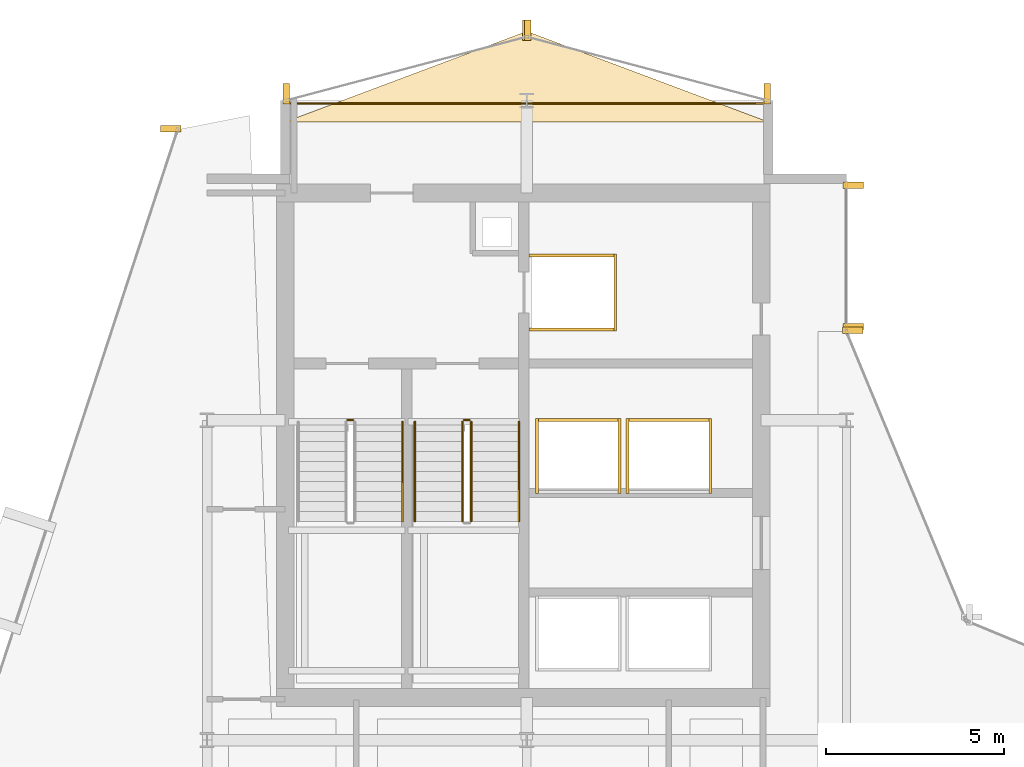
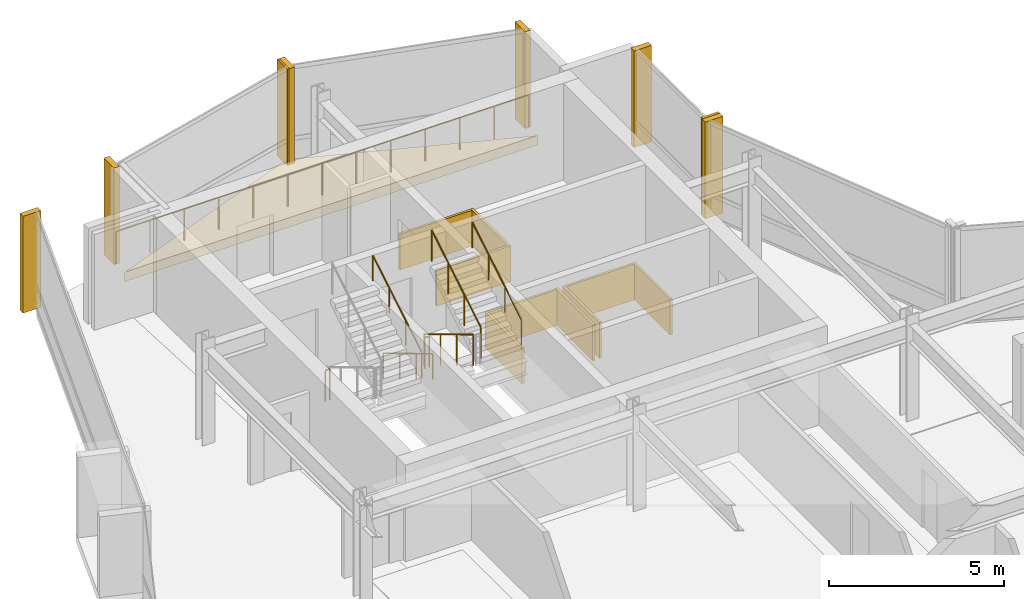
# One storey, part 27 of 27: 18 coverings, 8 railings.
"""IFC4 building model written with IfcOpenShell, lengths in metres."""

from ifc_helpers import new_model, si_unit, direction, frame, origin, origin_2d, place, context, subcontext, project, spatial, polyline, rectangle, circle, outline, extrude, material, layer, layer_set, type_object, element, save


model = new_model("IFC4")

# Units and contexts
model_context = context("Model", 3, precision=1e-05, world=origin(), true_north=direction((0.0, 1.0)))
body_context = subcontext(model_context, "Body", "Model", "MODEL_VIEW")
ifc_project = project(units=[si_unit("LENGTHUNIT", "METRE"), si_unit("AREAUNIT", "SQUARE_METRE"), si_unit("VOLUMEUNIT", "CUBIC_METRE"), si_unit("PLANEANGLEUNIT", "RADIAN"), si_unit("MASSUNIT", "GRAM", prefix="KILO")], contexts=[model_context])

# Site, building, storey
site_placement = place(None, origin())
site = spatial("IfcSite", under=ifc_project, at=site_placement, CompositionType="ELEMENT")
building_placement = place(site_placement, origin())
building = spatial("IfcBuilding", under=site, at=building_placement, Name="Solvaryn Broadcast Tower", CompositionType="ELEMENT")
storey_placement = place(building_placement, frame((0.0, 0.0, 192.699951171875)))
storey = spatial("IfcBuildingStorey", under=building, at=storey_placement, Name="L48", CompositionType="ELEMENT", Elevation=192.699951171875)

# Coverings
ifc_material_1 = material(Name="Fire-Rated Gypsum Shaftwall Liner", Category="concrete")
ifc_layer_1 = layer(ifc_material_1, 0.080078125)
ifc_layer_set_1 = layer_set([ifc_layer_1], Name="CV-SHAFT-LINER")
covering_type_1 = type_object("IfcCoveringType", Name="CV-SHAFT-LINER", PredefinedType="CLADDING", material=ifc_layer_set_1)
for number, where, z_axis, x_axis, name in (
    (1, (19.300048828125, 40.639892578125, 0.0), (0.0, 0.0, 1.0), (1.0, 0.0, 0.0), "L48 FL1 Hoistway Shaft Liner North"),
    (2, (19.300048828125, 38.56005859375, 0.0), (0.0, 0.0, 1.0), (1.0, 0.0, 0.0), "L48 FL1 Hoistway Shaft Liner South"),
):
    element("IfcCovering", number, at=place(storey_placement, frame(where, z_axis=z_axis, x_axis=x_axis)), inside=storey, type_object=covering_type_1, Name=name, PredefinedType="CLADDING", context=body_context, shape_type="SweptSolid", body=[
        extrude(rectangle(XDim=2.4599609375, YDim=0.080078125, at=origin_2d()), origin(), (0.0, 0.0, 1.0), 1.25),
    ])
covering_1_placement = place(storey_placement, frame((20.489990234375, 39.60009765625, 0.0), z_axis=(0.0, 0.0, 1.0), x_axis=(1.0, 0.0, 0.0)))
element("IfcCovering", 3, at=covering_1_placement, inside=storey, type_object=covering_type_1, Name="L48 FL1 Hoistway Shaft Liner East", PredefinedType="CLADDING", context=body_context, shape_type="SweptSolid", body=[
    extrude(rectangle(XDim=0.080078125, YDim=2.159912109375, at=origin_2d()), origin(), (0.0, 0.0, 1.0), 1.25),
])
covering_2_placement = place(storey_placement, frame((19.449951171875, 36.014892578125, 0.0), z_axis=(0.0, 0.0, 1.0), x_axis=(1.0, 0.0, 0.0)))
element("IfcCovering", 4, at=covering_2_placement, inside=storey, type_object=covering_type_1, Name="L48 PH3 Hoistway Shaft Liner North", PredefinedType="CLADDING", context=body_context, shape_type="SweptSolid", body=[
    extrude(rectangle(XDim=2.409912109375, YDim=0.080078125, at=origin_2d()), origin(), (0.0, 0.0, 1.0), 1.25),
])
for number, where, z_axis, x_axis, name in (
    (5, (20.614990234375, 35.0, 0.0), (0.0, 0.0, 1.0), (1.0, 0.0, 0.0), "L48 PH3 Hoistway Shaft Liner East"),
    (6, (18.284912109375, 35.0, 0.0), (0.0, 0.0, 1.0), (1.0, 0.0, 0.0), "L48 PH3 Hoistway Shaft Liner West"),
):
    element("IfcCovering", number, at=place(storey_placement, frame(where, z_axis=z_axis, x_axis=x_axis)), inside=storey, type_object=covering_type_1, Name=name, PredefinedType="CLADDING", context=body_context, shape_type="SweptSolid", body=[
        extrude(rectangle(XDim=0.080078125, YDim=2.110107421875, at=origin_2d()), origin(), (0.0, 0.0, 1.0), 1.25),
    ])
covering_3_placement = place(storey_placement, frame((22.0, 36.014892578125, 0.0), z_axis=(0.0, 0.0, 1.0), x_axis=(1.0, 0.0, 0.0)))
element("IfcCovering", 7, at=covering_3_placement, inside=storey, type_object=covering_type_1, Name="L48 PH4 Hoistway Shaft Liner North", PredefinedType="CLADDING", context=body_context, shape_type="SweptSolid", body=[
    extrude(rectangle(XDim=2.409912109375, YDim=0.080078125, at=origin_2d()), origin(), (0.0, 0.0, 1.0), 1.25),
])
for number, where, z_axis, x_axis, name in (
    (8, (23.1650390625, 35.0, 0.0), (0.0, 0.0, 1.0), (1.0, 0.0, 0.0), "L48 PH4 Hoistway Shaft Liner East"),
    (9, (20.8349609375, 35.0, 0.0), (0.0, 0.0, 1.0), (1.0, 0.0, 0.0), "L48 PH4 Hoistway Shaft Liner West"),
):
    element("IfcCovering", number, at=place(storey_placement, frame(where, z_axis=z_axis, x_axis=x_axis)), inside=storey, type_object=covering_type_1, Name=name, PredefinedType="CLADDING", context=body_context, shape_type="SweptSolid", body=[
        extrude(rectangle(XDim=0.080078125, YDim=2.110107421875, at=origin_2d()), origin(), (0.0, 0.0, 1.0), 1.25),
    ])
ifc_material_2 = material(Name="Extruded Architectural Terracotta Fin", Category="masonry")
ifc_layer_2 = layer(ifc_material_2, 0.179931640625)
ifc_layer_set_2 = layer_set([ifc_layer_2], Name="CV-TC-FIN")
covering_type_2 = type_object("IfcCoveringType", Name="CV-TC-FIN", PredefinedType="USERDEFINED", material=ifc_layer_set_2)
for number, where, z_axis, x_axis, name in (
    (10, (7.982666015625, 44.209716796875, 0.0), (0.0, 0.0, 1.0), (1.0, 0.0, 0.0), "L48 Terracotta Vertical Fin FIN-L48-DR1-M00"),
    (11, (27.1875, 42.6201171875, 0.0), (0.0, 0.0, 1.0), (1.0, 0.0, 0.0), "L48 Terracotta Vertical Fin FIN-L48-IV-M00"),
    (12, (27.1875, 38.6298828125, 0.0), (0.0, 0.0, 1.0), (1.0, 0.0, 0.0), "L48 Terracotta Vertical Fin FIN-L48-IV-M01"),
    (13, (27.177978515625, 38.541259765625, 0.0), (0.0, 0.0, 1.0), (1.0, 0.0, 0.0), "L48 Terracotta Vertical Fin FIN-L48-CN2-M01"),
):
    element("IfcCovering", number, at=place(storey_placement, frame(where, z_axis=z_axis, x_axis=x_axis)), inside=storey, type_object=covering_type_2, Name=name, ObjectType="FIN", PredefinedType="USERDEFINED", context=body_context, shape_type="SweptSolid", body=[
        extrude(rectangle(XDim=0.580078125, YDim=0.179931640625, at=origin_2d()), origin(), (0.0, 0.0, 1.0), 3.3701171875),
    ])
for number, where, z_axis, x_axis, name in (
    (14, (24.77099609375, 45.1953125, 0.0), (0.0, 0.0, 1.0), (1.0, 0.0, 0.0), "L48 Terracotta Vertical Fin FIN-L48-NT1-M00"),
    (15, (18.029052734375, 46.979736328125, 0.0), (0.0, 0.0, 1.0), (1.0, 0.0, 0.0), "L48 Terracotta Vertical Fin FIN-L48-NT1-M01"),
    (16, (17.970947265625, 46.979736328125, 0.0), (0.0, 0.0, 1.0), (1.0, 0.0, 0.0), "L48 Terracotta Vertical Fin FIN-L48-NT2-M00"),
    (17, (11.22900390625, 45.1953125, 0.0), (0.0, 0.0, 1.0), (1.0, 0.0, 0.0), "L48 Terracotta Vertical Fin FIN-L48-NT2-M01"),
):
    element("IfcCovering", number, at=place(storey_placement, frame(where, z_axis=z_axis, x_axis=x_axis)), inside=storey, type_object=covering_type_2, Name=name, ObjectType="FIN", PredefinedType="USERDEFINED", context=body_context, shape_type="SweptSolid", body=[
        extrude(rectangle(XDim=0.179931640625, YDim=0.580078125, at=origin_2d()), origin(), (0.0, 0.0, 1.0), 3.3701171875),
    ])
ifc_material_3 = material(Name="Sculpted Architectural Terracotta Wave Fascia", Category="masonry")
ifc_layer_3 = layer(ifc_material_3, 0.340087890625)
ifc_layer_set_3 = layer_set([ifc_layer_3], Name="CV-WAVE-TRAY")
covering_type_3 = type_object("IfcCoveringType", Name="CV-WAVE-TRAY", PredefinedType="CLADDING", material=ifc_layer_set_3)
covering_4_placement = place(storey_placement, frame((0.0, 0.0, -0.300048828125)))
element("IfcCovering", 18, at=covering_4_placement, inside=storey, type_object=covering_type_3, Name="L48 North Curved Wing Deck", PredefinedType="CLADDING", context=body_context, shape_type="SweptSolid", body=[
    extrude(outline(polyline([(11.199951171875, 44.39990234375), (24.800048828125, 44.39990234375), (18.0, 46.949951171875), (11.199951171875, 44.39990234375)])), origin(), (0.0, 0.0, 1.0), 0.330078125),
])

# Railings
ifc_material_4 = material(Name="Painted Steel Stair Well Guard", Category="steel")
railing_type_1 = type_object("IfcRailingType", Name="RL-STAIR-GUARD", PredefinedType="BALUSTRADE", material=ifc_material_4)
railing_1_placement = place(storey_placement, frame((12.9599609375, 36.010009765625, 0.0)))
element("IfcRailing", 19, at=railing_1_placement, inside=storey, type_object=railing_type_1, Name="L48 ST1 stair guard 4", PredefinedType="BALUSTRADE", context=body_context, shape_type="SweptSolid", body=[
    extrude(circle(Radius=0.02392578125, at=origin_2d()), frame((0.0, 0.0, 1.076171875), z_axis=(1.0, 0.0, 0.0), x_axis=(0.0, 1.0, 0.0)), (0.0, 0.0, 1.0), 0.150146484375),
    extrude(circle(Radius=0.02099609375, at=origin_2d()), origin(), (0.0, 0.0, 1.0), 1.052001953125),
    extrude(circle(Radius=0.02099609375, at=origin_2d()), frame((0.150146484375, 0.0, 0.0)), (0.0, 0.0, 1.0), 1.052001953125),
])
railing_2_placement = place(storey_placement, frame((16.18994140625, 35.9599609375, 0.168212890625)))
element("IfcRailing", 20, at=railing_2_placement, inside=storey, type_object=railing_type_1, Name="L48 ST2 stair guard 1", PredefinedType="BALUSTRADE", context=body_context, shape_type="SweptSolid", body=[
    extrude(circle(Radius=0.02392578125, at=origin_2d()), frame((0.0, 0.0, 1.076171875), z_axis=(0.0, -0.857242210791, 0.514913383045), x_axis=(1.0, 0.0, 0.0)), (0.0, 0.0, 1.0), 3.266357421875),
    extrude(circle(Radius=0.02099609375, at=origin_2d()), origin(), (0.0, 0.0, 1.0), 1.052001953125),
    extrude(circle(Radius=0.02099609375, at=origin_2d()), frame((0.0, -0.933349609375, 0.560546875)), (0.0, 0.0, 1.0), 1.052001953125),
    extrude(circle(Radius=0.02099609375, at=origin_2d()), frame((0.0, -1.86669921875, 1.121337890625)), (0.0, 0.0, 1.0), 1.052001953125),
    extrude(circle(Radius=0.02099609375, at=origin_2d()), frame((0.0, -2.800048828125, 1.681884765625)), (0.0, 0.0, 1.0), 1.052001953125),
])
railing_3_placement = place(storey_placement, frame((16.43994140625, 33.159912109375, 2.018310546875)))
element("IfcRailing", 21, at=railing_3_placement, inside=storey, type_object=railing_type_1, Name="L48 ST2 stair guard 3", PredefinedType="BALUSTRADE", context=body_context, shape_type="SweptSolid", body=[
    extrude(circle(Radius=0.02392578125, at=origin_2d()), frame((0.0, 0.0, 1.076171875), z_axis=(0.0, 0.857275202839, 0.514858452973), x_axis=(-1.0, 0.0, 0.0)), (0.0, 0.0, 1.0), 3.26611328125),
    extrude(circle(Radius=0.02099609375, at=origin_2d()), origin(), (0.0, 0.0, 1.0), 1.052001953125),
    extrude(circle(Radius=0.02099609375, at=origin_2d()), frame((0.0, 0.933349609375, 0.560546875)), (0.0, 0.0, 1.0), 1.052001953125),
    extrude(circle(Radius=0.02099609375, at=origin_2d()), frame((0.0, 1.86669921875, 1.12109375)), (0.0, 0.0, 1.0), 1.052001953125),
    extrude(circle(Radius=0.02099609375, at=origin_2d()), frame((0.0, 2.800048828125, 1.681640625)), (0.0, 0.0, 1.0), 1.052001953125),
])
railing_4_placement = place(storey_placement, frame((16.239990234375, 36.010009765625, 0.0)))
element("IfcRailing", 22, at=railing_4_placement, inside=storey, type_object=railing_type_1, Name="L48 ST2 stair guard 4", PredefinedType="BALUSTRADE", context=body_context, shape_type="SweptSolid", body=[
    extrude(circle(Radius=0.02392578125, at=origin_2d()), frame((0.0, 0.0, 1.076171875), z_axis=(1.0, 0.0, 0.0), x_axis=(0.0, 1.0, 0.0)), (0.0, 0.0, 1.0), 0.14990234375),
    extrude(circle(Radius=0.02099609375, at=origin_2d()), origin(), (0.0, 0.0, 1.0), 1.052001953125),
    extrude(circle(Radius=0.02099609375, at=origin_2d()), frame((0.14990234375, 0.0, 0.0)), (0.0, 0.0, 1.0), 1.052001953125),
])
ifc_material_5 = material(Name="Brushed Stainless Steel Tubular Handrail", Category="steel")
railing_type_2 = type_object("IfcRailingType", Name="RL-STAIR-HANDRAIL", PredefinedType="HANDRAIL", material=ifc_material_5)
railing_5_placement = place(storey_placement, frame((14.5, 33.159912109375, 2.018310546875)))
element("IfcRailing", 23, at=railing_5_placement, inside=storey, type_object=railing_type_2, Name="L48 ST1 stair handrail 2", PredefinedType="HANDRAIL", context=body_context, shape_type="SweptSolid", body=[
    extrude(circle(Radius=0.02392578125, at=origin_2d()), frame((0.0, 0.0, 0.8759765625), z_axis=(0.0, 0.857275202839, 0.514858452973), x_axis=(-1.0, 0.0, 0.0)), (0.0, 0.0, 1.0), 3.26611328125),
    extrude(circle(Radius=0.02099609375, at=origin_2d()), origin(), (0.0, 0.0, 1.0), 0.851806640625),
    extrude(circle(Radius=0.02099609375, at=origin_2d()), frame((0.0, 0.933349609375, 0.560546875)), (0.0, 0.0, 1.0), 0.851806640625),
    extrude(circle(Radius=0.02099609375, at=origin_2d()), frame((0.0, 1.86669921875, 1.12109375)), (0.0, 0.0, 1.0), 0.851806640625),
    extrude(circle(Radius=0.02099609375, at=origin_2d()), frame((0.0, 2.800048828125, 1.681640625)), (0.0, 0.0, 1.0), 0.851806640625),
])
railing_6_placement = place(storey_placement, frame((14.85009765625, 35.9599609375, 0.168212890625)))
element("IfcRailing", 24, at=railing_6_placement, inside=storey, type_object=railing_type_2, Name="L48 ST2 stair handrail 1", PredefinedType="HANDRAIL", context=body_context, shape_type="SweptSolid", body=[
    extrude(circle(Radius=0.02392578125, at=origin_2d()), frame((0.0, 0.0, 0.8759765625), z_axis=(0.0, -0.857242210791, 0.514913383045), x_axis=(1.0, 0.0, 0.0)), (0.0, 0.0, 1.0), 3.266357421875),
    extrude(circle(Radius=0.02099609375, at=origin_2d()), origin(), (0.0, 0.0, 1.0), 0.851806640625),
    extrude(circle(Radius=0.02099609375, at=origin_2d()), frame((0.0, -0.933349609375, 0.560546875)), (0.0, 0.0, 1.0), 0.851806640625),
    extrude(circle(Radius=0.02099609375, at=origin_2d()), frame((0.0, -1.86669921875, 1.121337890625)), (0.0, 0.0, 1.0), 0.851806640625),
    extrude(circle(Radius=0.02099609375, at=origin_2d()), frame((0.0, -2.800048828125, 1.681884765625)), (0.0, 0.0, 1.0), 0.851806640625),
])
railing_7_placement = place(storey_placement, frame((17.780029296875, 33.159912109375, 2.018310546875)))
element("IfcRailing", 25, at=railing_7_placement, inside=storey, type_object=railing_type_2, Name="L48 ST2 stair handrail 2", PredefinedType="HANDRAIL", context=body_context, shape_type="SweptSolid", body=[
    extrude(circle(Radius=0.02392578125, at=origin_2d()), frame((0.0, 0.0, 0.8759765625), z_axis=(0.0, 0.857275202839, 0.514858452973), x_axis=(-1.0, 0.0, 0.0)), (0.0, 0.0, 1.0), 3.26611328125),
    extrude(circle(Radius=0.02099609375, at=origin_2d()), origin(), (0.0, 0.0, 1.0), 0.851806640625),
    extrude(circle(Radius=0.02099609375, at=origin_2d()), frame((0.0, 0.933349609375, 0.560546875)), (0.0, 0.0, 1.0), 0.851806640625),
    extrude(circle(Radius=0.02099609375, at=origin_2d()), frame((0.0, 1.86669921875, 1.12109375)), (0.0, 0.0, 1.0), 0.851806640625),
    extrude(circle(Radius=0.02099609375, at=origin_2d()), frame((0.0, 2.800048828125, 1.681640625)), (0.0, 0.0, 1.0), 0.851806640625),
])
ifc_material_6 = material(Name="Stainless Steel and Laminated Glass Guard", Category="steel")
railing_type_3 = type_object("IfcRailingType", Name="RL-TER-1150", PredefinedType="BALUSTRADE", material=ifc_material_6)
railing_8_placement = place(storey_placement, frame((11.199951171875, 44.919921875, 0.0)))
element("IfcRailing", 26, at=railing_8_placement, inside=storey, type_object=railing_type_3, Name="L48 North Wing Spandrel Edge Guard", PredefinedType="BALUSTRADE", context=body_context, shape_type="SweptSolid", body=[
    extrude(circle(Radius=0.02392578125, at=origin_2d()), frame((0.0, 0.0, 1.1259765625), z_axis=(1.0, 0.0, 0.0), x_axis=(0.0, 1.0, 0.0)), (0.0, 0.0, 1.0), 13.60009765625),
    extrude(circle(Radius=0.02099609375, at=origin_2d()), origin(), (0.0, 0.0, 1.0), 1.101806640625),
    extrude(circle(Radius=0.02099609375, at=origin_2d()), frame((1.13330078125, 0.0, 0.0)), (0.0, 0.0, 1.0), 1.101806640625),
    extrude(circle(Radius=0.02099609375, at=origin_2d()), frame((2.2666015625, 0.0, 0.0)), (0.0, 0.0, 1.0), 1.101806640625),
    extrude(circle(Radius=0.02099609375, at=origin_2d()), frame((3.39990234375, 0.0, 0.0)), (0.0, 0.0, 1.0), 1.101806640625),
    extrude(circle(Radius=0.02099609375, at=origin_2d()), frame((4.533447265625, 0.0, 0.0)), (0.0, 0.0, 1.0), 1.101806640625),
    extrude(circle(Radius=0.02099609375, at=origin_2d()), frame((5.666748046875, 0.0, 0.0)), (0.0, 0.0, 1.0), 1.101806640625),
    extrude(circle(Radius=0.02099609375, at=origin_2d()), frame((6.800048828125, 0.0, 0.0)), (0.0, 0.0, 1.0), 1.101806640625),
    extrude(circle(Radius=0.02099609375, at=origin_2d()), frame((7.933349609375, 0.0, 0.0)), (0.0, 0.0, 1.0), 1.101806640625),
    extrude(circle(Radius=0.02099609375, at=origin_2d()), frame((9.066650390625, 0.0, 0.0)), (0.0, 0.0, 1.0), 1.101806640625),
    extrude(circle(Radius=0.02099609375, at=origin_2d()), frame((10.2001953125, 0.0, 0.0)), (0.0, 0.0, 1.0), 1.101806640625),
    extrude(circle(Radius=0.02099609375, at=origin_2d()), frame((11.33349609375, 0.0, 0.0)), (0.0, 0.0, 1.0), 1.101806640625),
    extrude(circle(Radius=0.02099609375, at=origin_2d()), frame((12.466796875, 0.0, 0.0)), (0.0, 0.0, 1.0), 1.101806640625),
    extrude(circle(Radius=0.02099609375, at=origin_2d()), frame((13.60009765625, 0.0, 0.0)), (0.0, 0.0, 1.0), 1.101806640625),
])

save(model, "model.ifc")
